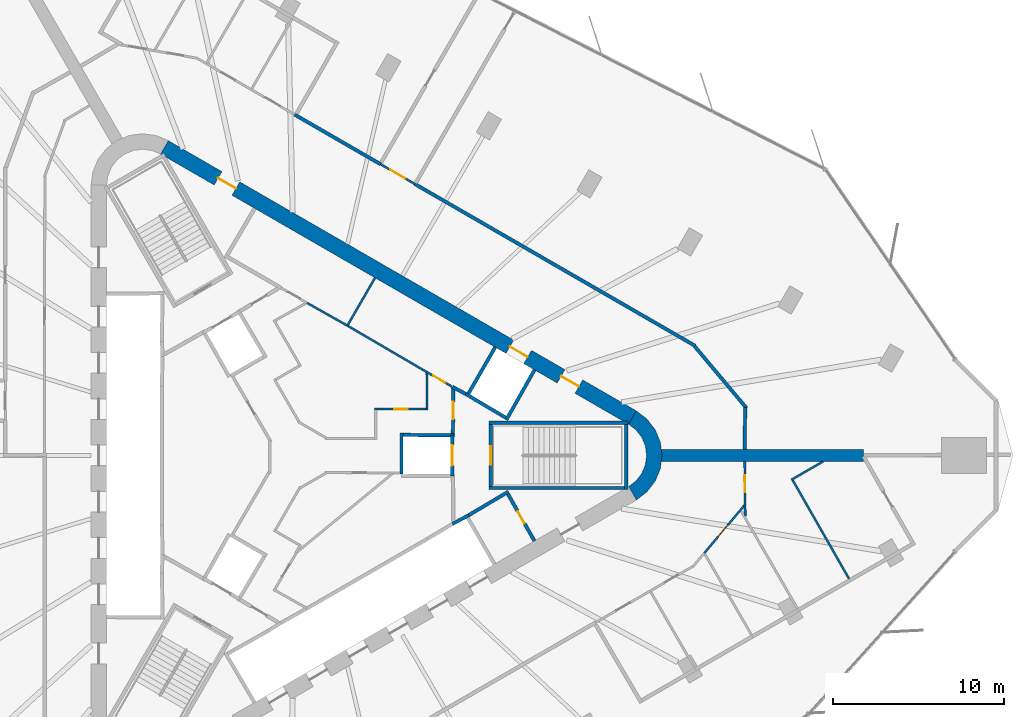
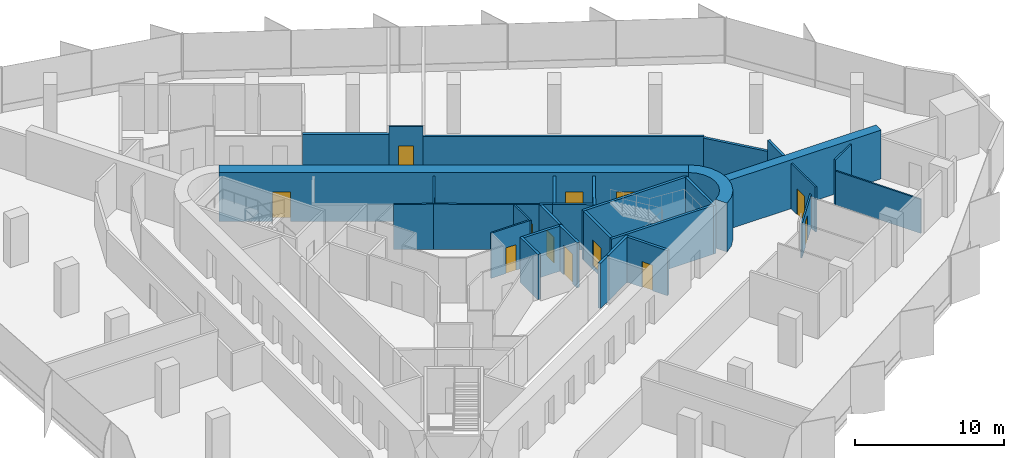
# One storey, part 11 of 14: 33 walls, 12 doors, 12 openings.
"""IFC4 building model written with IfcOpenShell, lengths in metres."""

import ifcopenshell
import ifcopenshell.guid

model = None  # the IFC model being written
_history = None  # IfcOwnerHistory: only IFC2X3 demands one
_inside = {}  # id of a spatial element -> (the spatial element, [elements in it])
_under = {}  # id of a project, library or spatial element -> (it, [spatial elements below it])
_declared = {}  # id of a project -> (the project, [libraries it declares])
_typed = {}  # id of a type object -> (the type object, [elements of that type])
_made_of = {}  # id of a material, layer set ... -> (it, [elements and type objects made of it])


def new_model(schema):
    """Start an empty IFC model of exactly this schema.

    Asked for "IFC4X3", IfcOpenShell would pick the latest addendum, in which some entities
    have other attributes; the version numbers below select the first issue.
    IFC2X3 requires an IfcOwnerHistory on every rooted entity: one is made here for all.
    """
    global model, _history
    if schema == "IFC4X3":
        model = ifcopenshell.file(schema_version=(4, 3, 0, 0))
    else:
        model = ifcopenshell.file(schema=schema)
    _inside.clear()
    _under.clear()
    _declared.clear()
    _typed.clear()
    _made_of.clear()
    _history = None
    if model.schema == "IFC2X3":
        org = make("IfcOrganization", Name="unknown")
        user = make(
            "IfcPersonAndOrganization",
            ThePerson=make("IfcPerson", FamilyName="unknown"),
            TheOrganization=org,
        )
        app = make(
            "IfcApplication",
            ApplicationDeveloper=org,
            Version="unknown",
            ApplicationFullName="unknown",
            ApplicationIdentifier="unknown",
        )
        _history = make(
            "IfcOwnerHistory",
            OwningUser=user,
            OwningApplication=app,
            ChangeAction="ADDED",
            CreationDate=0,
        )
    return model


def make(cls, **values):
    """One entity of the class cls with the attributes given. An attribute that is None is left unset."""
    return model.create_entity(
        cls, **{name: value for name, value in values.items() if value is not None}
    )


def rooted(cls, **values):
    """An entity with a GlobalId (a new one), such as an element, a storey or a relation."""
    return make(cls, GlobalId=ifcopenshell.guid.new(), OwnerHistory=_history, **values)


def si_unit(unit_type, name, prefix=None):
    """IfcSIUnit, for example si_unit("LENGTHUNIT", "METRE", prefix="MILLI")."""
    return make("IfcSIUnit", UnitType=unit_type, Prefix=prefix, Name=name)


def assignment(units):
    """IfcUnitAssignment: the units of a project."""
    return None if units is None else make("IfcUnitAssignment", Units=units)


def point(xyz):
    """IfcCartesianPoint."""
    return None if xyz is None else make("IfcCartesianPoint", Coordinates=xyz)


def direction(xyz):
    """IfcDirection."""
    return None if xyz is None else make("IfcDirection", DirectionRatios=xyz)


def frame(location, z_axis=None, x_axis=None):
    """IfcAxis2Placement3D, a coordinate frame: its origin and axes. An axis left out is left unset."""
    return make(
        "IfcAxis2Placement3D",
        Location=point(location),
        Axis=direction(z_axis),
        RefDirection=direction(x_axis),
    )


def frame_2d(location, x_axis=None):
    """IfcAxis2Placement2D, a coordinate frame in the plane: its origin and x axis."""
    return make(
        "IfcAxis2Placement2D", Location=point(location), RefDirection=direction(x_axis)
    )


def origin():
    """The frame at (0, 0, 0) with its axes left unset."""
    return frame((0.0, 0.0, 0.0))


def place(relative_to, where):
    """IfcLocalPlacement: puts the frame where relative to a parent placement (None: the world)."""
    return make(
        "IfcLocalPlacement", PlacementRelTo=relative_to, RelativePlacement=where
    )


def context(
    kind, dimensions, precision=None, world=None, true_north=None, identifier=None
):
    """IfcGeometricRepresentationContext, for example the 3D "Model" context."""
    return make(
        "IfcGeometricRepresentationContext",
        ContextIdentifier=identifier,
        ContextType=kind,
        CoordinateSpaceDimension=dimensions,
        Precision=precision,
        WorldCoordinateSystem=world,
        TrueNorth=true_north,
    )


def subcontext(parent, identifier, kind, view, scale=None):
    """IfcGeometricRepresentationSubContext, for example "Body" below "Model"."""
    return make(
        "IfcGeometricRepresentationSubContext",
        ContextIdentifier=identifier,
        ContextType=kind,
        ParentContext=parent,
        TargetScale=scale,
        TargetView=view,
    )


def project(units=None, contexts=None):
    """IfcProject with its units and contexts."""
    return rooted(
        "IfcProject",
        Name="project",
        RepresentationContexts=contexts,
        UnitsInContext=assignment(units),
    )


def spatial(cls, under=None, at=None, **own):
    """A site, building, storey or space (cls), placed at a placement, below another one or the project."""
    s = rooted(cls, ObjectPlacement=at, **own)
    if under is not None:
        _under.setdefault(under.id(), (under, []))[1].append(s)
    return s


def polyline(points):
    """IfcPolyline through the points."""
    return make("IfcPolyline", Points=[point(p) for p in points])


def profile(cls, at=None, kind="AREA", **sizes):
    """A parametric profile (cls). Its sizes go by their IFC names, for example OverallWidth=200.0."""
    return make(cls, ProfileType=kind, Position=at, **sizes)


def rectangle(**sizes):
    """IfcRectangleProfileDef."""
    return profile("IfcRectangleProfileDef", **sizes)


def outline(outer, holes=None, kind="AREA"):
    """IfcArbitraryClosedProfileDef: a profile drawn as a closed curve; with holes, ...WithVoids."""
    if holes is None:
        return make("IfcArbitraryClosedProfileDef", ProfileType=kind, OuterCurve=outer)
    return make(
        "IfcArbitraryProfileDefWithVoids",
        ProfileType=kind,
        OuterCurve=outer,
        InnerCurves=holes,
    )


def extrude(swept, where, along, depth):
    """IfcExtrudedAreaSolid: the profile swept, set in the frame where, extruded along a direction by depth."""
    return make(
        "IfcExtrudedAreaSolid",
        SweptArea=swept,
        Position=where,
        ExtrudedDirection=direction(along),
        Depth=depth,
    )


def shape(context_of_items, identifier, shape_type, items):
    """IfcShapeRepresentation: the items that make up one representation, for example the "Body"."""
    return make(
        "IfcShapeRepresentation",
        ContextOfItems=context_of_items,
        RepresentationIdentifier=identifier,
        RepresentationType=shape_type,
        Items=items,
    )


def material(Name=None, Category=None):
    """IfcMaterial."""
    return make("IfcMaterial", Name=Name, Category=Category)


def layer(
    of_material, thickness, ventilated=None, Name=None, Category=None, Priority=None
):
    """IfcMaterialLayer: one layer of a wall or slab, of a material (None: an air gap)."""
    return make(
        "IfcMaterialLayer",
        Material=of_material,
        LayerThickness=thickness,
        IsVentilated=ventilated,
        Name=Name,
        Category=Category,
        Priority=Priority,
    )


def layer_set(layers, Name=None):
    """IfcMaterialLayerSet."""
    return make("IfcMaterialLayerSet", MaterialLayers=layers, LayerSetName=Name)


def made_of(thing, what):
    """Note that an element or type object is made of a material, layer set ...; save() writes the relation."""
    if what is not None:
        _made_of.setdefault(what.id(), (what, []))[1].append(thing)
    return thing


def type_object(cls, material=None, **own):
    """A type object (cls), such as IfcWallType, which elements share."""
    return made_of(rooted(cls, **own), material)


def element(
    cls,
    number,
    at=None,
    inside=None,
    cuts=None,
    type_object=None,
    material=None,
    context=None,
    identifier="Body",
    shape_type=None,
    held_by="IfcProductDefinitionShape",
    body=None,
    shapes=None,
    **own,
):
    """One element of the class cls, such as IfcWall. Its Tag is "e" and its number.

    at: its placement. inside: the storey or other place that contains it. cuts: it is an
    opening in that element (IfcRelVoidsElement). A single representation is given by context,
    identifier, shape_type and body (its items); several are given by shapes. held_by: the class
    of the entity that holds the representations. save() writes the other relations.
    """
    e = rooted(cls, Tag="e%d" % number, ObjectPlacement=at, **own)
    if body is not None:
        shapes = [shape(context, identifier, shape_type, body)]
    if shapes is not None:
        e.Representation = make(held_by, Representations=shapes)
    if inside is not None:
        _inside.setdefault(inside.id(), (inside, []))[1].append(e)
    if cuts is not None:
        rooted(
            "IfcRelVoidsElement", RelatingBuildingElement=cuts, RelatedOpeningElement=e
        )
    if type_object is not None:
        _typed.setdefault(type_object.id(), (type_object, []))[1].append(e)
    return made_of(e, material)


def fill(opening, filler):
    """IfcRelFillsElement: the door or window that sits in an opening."""
    return rooted(
        "IfcRelFillsElement",
        RelatingOpeningElement=opening,
        RelatedBuildingElement=filler,
    )


def aggregate(whole, parts):
    """IfcRelAggregates: a whole, such as a stair, and the parts it consists of."""
    return rooted("IfcRelAggregates", RelatingObject=whole, RelatedObjects=parts)


def save(model, path):
    """Write the relations noted so far, then the file.

    IfcRelAggregates (storeys below a building ...), IfcRelContainedInSpatialStructure (elements
    in a storey), IfcRelDefinesByType, IfcRelAssociatesMaterial and IfcRelDeclares: one each for
    every whole, place, type object, material and project.
    """
    for whole, parts in _under.values():
        aggregate(whole, parts)
    for where, things in _inside.values():
        rooted(
            "IfcRelContainedInSpatialStructure",
            RelatedElements=things,
            RelatingStructure=where,
        )
    for kind, things in _typed.values():
        rooted("IfcRelDefinesByType", RelatedObjects=things, RelatingType=kind)
    for what, things in _made_of.values():
        rooted("IfcRelAssociatesMaterial", RelatedObjects=things, RelatingMaterial=what)
    for by, libraries in _declared.values():
        rooted("IfcRelDeclares", RelatingContext=by, RelatedDefinitions=libraries)
    model.write(path)


model = new_model("IFC4")

# Units and contexts
model_context = context("Model", 3, precision=1e-05, world=origin(), true_north=direction((0.0, 1.0)))
body_context = subcontext(model_context, "Body", "Model", "MODEL_VIEW")
ifc_project = project(units=[si_unit("LENGTHUNIT", "METRE"), si_unit("AREAUNIT", "SQUARE_METRE"), si_unit("VOLUMEUNIT", "CUBIC_METRE"), si_unit("PLANEANGLEUNIT", "RADIAN"), si_unit("MASSUNIT", "GRAM", prefix="KILO")], contexts=[model_context])

# Site, building, storey
site_placement = place(None, origin())
site = spatial("IfcSite", under=ifc_project, at=site_placement, CompositionType="ELEMENT")
building_placement = place(site_placement, origin())
building = spatial("IfcBuilding", under=site, at=building_placement, Name="Tanit Gate Tower", CompositionType="ELEMENT")
storey_placement = place(building_placement, frame((0.0, 0.0, 209.199951171875)))
storey = spatial("IfcBuildingStorey", under=building, at=storey_placement, Name="L46", CompositionType="ELEMENT", Elevation=209.199951171875)

# Wall
ifc_material_1 = material(Name="Concrete C50/60", Category="concrete")
ifc_layer_1 = layer(ifc_material_1, 0.699951171875)
ifc_layer_set_1 = layer_set([ifc_layer_1], Name="BUTTRESS FIN 700 C50/60")
wall_type_1 = type_object("IfcWallType", Name="BUTTRESS FIN 700 C50/60", PredefinedType="SHEAR", material=ifc_layer_set_1)
wall_1_placement = place(storey_placement, frame((21.14990234375, 0.0, 0.0), z_axis=(0.0, 0.0, 1.0), x_axis=(1.0, 0.0, 0.0)))
element("IfcWall", 1, at=wall_1_placement, inside=storey, type_object=wall_type_1, Name="BUTTRESS FIN", PredefinedType="SHEAR", context=body_context, shape_type="SweptSolid", body=[
    extrude(rectangle(XDim=11.7939453125, YDim=0.699951171875, at=frame_2d((5.89697265625, 0.0))), origin(), (0.0, 0.0, 1.0), 4.0),
])

# Wall, openings, doors
ifc_material_2 = material(Name="Concrete C50/60", Category="concrete")
ifc_layer_2 = layer(ifc_material_2, 0.89990234375)
ifc_layer_set_2 = layer_set([ifc_layer_2], Name="CORE WALL 900 C50/60")
wall_type_2 = type_object("IfcWallType", Name="CORE WALL 900 C50/60", PredefinedType="SHEAR", material=ifc_layer_set_2)
wall_2_placement = place(storey_placement, frame((19.47509765625, 2.20849609375, 0.0), z_axis=(0.0, 0.0, 1.0), x_axis=(-0.866028369851, 0.499994862586, 0.0)))
wall_2 = element("IfcWall", 2, at=wall_2_placement, inside=storey, type_object=wall_type_2, Name="CORE WALL", PredefinedType="SHEAR", context=body_context, shape_type="SweptSolid", body=[
    extrude(rectangle(XDim=31.523193359375, YDim=0.89990234375, at=frame_2d((15.76171875, 0.0))), origin(), (0.0, 0.0, 1.0), 4.0),
])
opening_1_placement = place(wall_2_placement, frame((7.0615234375, 0.0, 0.0)))
opening_1 = element("IfcOpeningElement", 3, at=opening_1_placement, cuts=wall_2, Name="Opening LDML8-S12", PredefinedType="OPENING", context=body_context, shape_type="SweptSolid", body=[
    extrude(rectangle(XDim=1.199951171875, YDim=2.39990234375, at=frame_2d((0.60009765625, 1.199951171875))), frame((0.0, 0.4599609375, 0.0), z_axis=(0.0, -1.0, 0.0), x_axis=(1.0, 0.0, 0.0)), (0.0, 0.0, 1.0), 0.919921875),
])
opening_2_placement = place(wall_2_placement, frame((3.611572265625, 0.0, 0.0)))
opening_2 = element("IfcOpeningElement", 4, at=opening_2_placement, cuts=wall_2, Name="Opening F12-S12-FL1", PredefinedType="OPENING", context=body_context, shape_type="SweptSolid", body=[
    extrude(rectangle(XDim=1.199951171875, YDim=2.39990234375, at=frame_2d((0.60009765625, 1.199951171875))), frame((0.0, 0.4599609375, 0.0), z_axis=(0.0, -1.0, 0.0), x_axis=(1.0, 0.0, 0.0)), (0.0, 0.0, 1.0), 0.919921875),
])
opening_3_placement = place(wall_2_placement, frame((26.711669921875, 0.0, 0.0)))
opening_3 = element("IfcOpeningElement", 5, at=opening_3_placement, cuts=wall_2, Name="Opening F12-S12-S2", PredefinedType="OPENING", context=body_context, shape_type="SweptSolid", body=[
    extrude(rectangle(XDim=1.199951171875, YDim=2.39990234375, at=frame_2d((0.60009765625, 1.199951171875))), frame((0.0, 0.4599609375, 0.0), z_axis=(0.0, -1.0, 0.0), x_axis=(1.0, 0.0, 0.0)), (0.0, 0.0, 1.0), 0.919921875),
])
ifc_material_3 = material(Name="Fire-rated steel door leaf", Category="steel")
door_type_1 = type_object("IfcDoorType", Name="INT-DOOR-FIRE-LOBBY-1200", OperationType="NOTDEFINED", PredefinedType="USERDEFINED", material=ifc_material_3)
door_1_placement = place(opening_2_placement, origin())
door_1 = element("IfcDoor", 6, at=door_1_placement, inside=storey, type_object=door_type_1, Name="Door F12-S12-FL1", ObjectType="FIRE DOOR", OperationType="SINGLE_SWING_LEFT", OverallHeight=2.39990234375, OverallWidth=1.199951171875, PredefinedType="USERDEFINED", context=body_context, shape_type="SweptSolid", body=[
    extrude(rectangle(XDim=1.199951171875, YDim=2.39990234375, at=frame_2d((0.60009765625, 1.199951171875))), frame((0.0, 0.02490234375, 0.0), z_axis=(0.0, -1.0, 0.0), x_axis=(1.0, 0.0, 0.0)), (0.0, 0.0, 1.0), 0.050048828125),
])
fill(opening_2, door_1)
door_2_placement = place(opening_3_placement, origin())
door_2 = element("IfcDoor", 7, at=door_2_placement, inside=storey, type_object=door_type_1, Name="Door F12-S12-S2", ObjectType="FIRE DOOR", OperationType="SINGLE_SWING_RIGHT", OverallHeight=2.39990234375, OverallWidth=1.199951171875, PredefinedType="USERDEFINED", context=body_context, shape_type="SweptSolid", body=[
    extrude(rectangle(XDim=1.199951171875, YDim=2.39990234375, at=frame_2d((0.60009765625, 1.199951171875))), frame((0.0, 0.02490234375, 0.0), z_axis=(0.0, -1.0, 0.0), x_axis=(1.0, 0.0, 0.0)), (0.0, 0.0, 1.0), 0.050048828125),
])
fill(opening_3, door_2)
ifc_material_4 = material(Name="Stainless steel sliding door leaf", Category="steel")
door_type_2 = type_object("IfcDoorType", Name="INT-DOOR-LANDING-1200", OperationType="NOTDEFINED", PredefinedType="USERDEFINED", material=ifc_material_4)
door_3_placement = place(opening_1_placement, origin())
door_3 = element("IfcDoor", 8, at=door_3_placement, inside=storey, type_object=door_type_2, Name="Door LDML8-S12", ObjectType="LANDING DOOR", OperationType="SLIDING_TO_LEFT", OverallHeight=2.39990234375, OverallWidth=1.199951171875, PredefinedType="USERDEFINED", context=body_context, shape_type="SweptSolid", body=[
    extrude(rectangle(XDim=1.199951171875, YDim=2.39990234375, at=frame_2d((0.60009765625, 1.199951171875))), frame((0.0, 0.02490234375, 0.0), z_axis=(0.0, -1.0, 0.0), x_axis=(1.0, 0.0, 0.0)), (0.0, 0.0, 1.0), 0.050048828125),
])
fill(opening_1, door_3)

# Walls
wall_3_placement = place(storey_placement, origin())
element("IfcWall", 9, at=wall_3_placement, inside=storey, type_object=wall_type_2, Name="CORE WALL CORNER", PredefinedType="SHEAR", context=body_context, shape_type="SweptSolid", body=[
    extrude(outline(polyline([(19.699951171875, -2.59814453125), (20.3212890625, -2.121337890625), (20.798095703125, -1.5), (21.097900390625, -0.776611328125), (21.199951171875, 0.0), (21.097900390625, 0.776611328125), (20.798095703125, 1.5), (20.3212890625, 2.121337890625), (19.699951171875, 2.59814453125), (19.25, 1.818603515625), (19.684814453125, 1.48486328125), (20.018798828125, 1.050048828125), (20.228515625, 0.54345703125), (20.300048828125, 0.0), (20.228515625, -0.54345703125), (20.018798828125, -1.050048828125), (19.684814453125, -1.48486328125), (19.25, -1.818603515625), (19.699951171875, -2.59814453125)])), origin(), (0.0, 0.0, 1.0), 4.0),
])
ifc_material_5 = material(Name="Fire-rated gypsum board partition")
ifc_layer_3 = layer(ifc_material_5, 0.199951171875)
ifc_layer_set_3 = layer_set([ifc_layer_3], Name="INT-WALL-COMPARTMENT")
wall_type_3 = type_object("IfcWallType", Name="INT-WALL-COMPARTMENT", PredefinedType="PARTITIONING", material=ifc_layer_set_3)
wall_4_placement = place(storey_placement, frame((8.97412109375, 3.998779296875, 0.0), z_axis=(0.0, 0.0, 1.0), x_axis=(0.880917147855, -0.473270513147, 0.0)))
element("IfcWall", 10, at=wall_4_placement, inside=storey, type_object=wall_type_3, Name="Wall Compartment W050", PredefinedType="PARTITIONING", context=body_context, shape_type="SweptSolid", body=[
    extrude(rectangle(XDim=0.8779296875, YDim=0.199951171875, at=frame_2d((0.43896484375, 0.0))), origin(), (0.0, 0.0, 1.0), 3.699951171875),
])
wall_5_placement = place(storey_placement, frame((12.244873046875, -2.10888671875, 0.0), z_axis=(0.0, 0.0, 1.0), x_axis=(-0.860414880418, -0.509594185166, 0.0)))
element("IfcWall", 11, at=wall_5_placement, inside=storey, type_object=wall_type_3, Name="Wall Compartment W057", PredefinedType="PARTITIONING", context=body_context, shape_type="SweptSolid", body=[
    extrude(rectangle(XDim=2.7001953125, YDim=0.199951171875, at=frame_2d((1.35009765625, 0.0))), origin(), (0.0, 0.0, 1.0), 3.699951171875),
])

# Wall, opening, door
wall_6_placement = place(storey_placement, frame((13.758056640625, -4.989501953125, 0.0), z_axis=(0.0, 0.0, 1.0), x_axis=(-0.491993409184, 0.87059892334, 0.0)))
wall_6 = element("IfcWall", 12, at=wall_6_placement, inside=storey, type_object=wall_type_3, Name="Wall Compartment W058", PredefinedType="PARTITIONING", context=body_context, shape_type="SweptSolid", body=[
    extrude(rectangle(XDim=3.150146484375, YDim=0.199951171875, at=frame_2d((1.5751953125, 0.0))), origin(), (0.0, 0.0, 1.0), 3.699951171875),
])
opening_4_placement = place(wall_6_placement, frame((1.175048828125, 0.0, 0.0)))
opening_4 = element("IfcOpeningElement", 13, at=opening_4_placement, cuts=wall_6, Name="Opening R08-S12-16", PredefinedType="OPENING", context=body_context, shape_type="SweptSolid", body=[
    extrude(rectangle(XDim=0.800048828125, YDim=2.10009765625, at=frame_2d((0.39990234375, 1.050048828125))), frame((0.0, 0.10986328125, 0.0), z_axis=(0.0, -1.0, 0.0), x_axis=(1.0, 0.0, 0.0)), (0.0, 0.0, 1.0), 0.219970703125),
])
ifc_material_6 = material(Name="Timber door leaf", Category="wood")
door_type_3 = type_object("IfcDoorType", Name="INT-DOOR-RISER-800", OperationType="NOTDEFINED", PredefinedType="USERDEFINED", material=ifc_material_6)
door_4_placement = place(opening_4_placement, origin())
door_4 = element("IfcDoor", 14, at=door_4_placement, inside=storey, type_object=door_type_3, Name="Door R08-S12-16", ObjectType="FIRE DOOR", OperationType="SINGLE_SWING_RIGHT", OverallHeight=2.10009765625, OverallWidth=0.800048828125, PredefinedType="USERDEFINED", context=body_context, shape_type="SweptSolid", body=[
    extrude(rectangle(XDim=0.800048828125, YDim=2.10009765625, at=frame_2d((0.39990234375, 1.050048828125))), frame((0.0, 0.02490234375, 0.0), z_axis=(0.0, -1.0, 0.0), x_axis=(1.0, 0.0, 0.0)), (0.0, 0.0, 1.0), 0.050048828125),
])
fill(opening_4, door_4)

wall_7_placement = place(storey_placement, frame((9.0009765625, 1.27001953125, 0.0), z_axis=(0.0, 0.0, 1.0), x_axis=(0.010723968736, 0.999942496594, 0.0)))
wall_7 = element("IfcWall", 15, at=wall_7_placement, inside=storey, type_object=wall_type_3, Name="Wall Compartment W060", PredefinedType="PARTITIONING", context=body_context, shape_type="SweptSolid", body=[
    extrude(rectangle(XDim=2.709228515625, YDim=0.199951171875, at=frame_2d((1.3544921875, 0.0))), origin(), (0.0, 0.0, 1.0), 3.699951171875),
])
opening_5_placement = place(wall_7_placement, frame((0.848388671875, 0.0, 0.0)))
opening_5 = element("IfcOpeningElement", 16, at=opening_5_placement, cuts=wall_7, Name="Opening F10-S12-02", PredefinedType="OPENING", context=body_context, shape_type="SweptSolid", body=[
    extrude(rectangle(XDim=1.0, YDim=2.10009765625, at=frame_2d((0.5, 1.050048828125))), frame((0.0, 0.10986328125, 0.0), z_axis=(0.0, -1.0, 0.0), x_axis=(1.0, 0.0, 0.0)), (0.0, 0.0, 1.0), 0.219970703125),
])
ifc_material_7 = material(Name="Fire-rated steel door leaf", Category="steel")
door_type_4 = type_object("IfcDoorType", Name="INT-DOOR-FIRE-1000", OperationType="NOTDEFINED", PredefinedType="USERDEFINED", material=ifc_material_7)
door_5_placement = place(opening_5_placement, origin())
door_5 = element("IfcDoor", 17, at=door_5_placement, inside=storey, type_object=door_type_4, Name="Door F10-S12-02", ObjectType="FIRE DOOR", OperationType="SINGLE_SWING_LEFT", OverallHeight=2.10009765625, OverallWidth=1.0, PredefinedType="USERDEFINED", context=body_context, shape_type="SweptSolid", body=[
    extrude(rectangle(XDim=1.0, YDim=2.10009765625, at=frame_2d((0.5, 1.050048828125))), frame((0.0, 0.02490234375, 0.0), z_axis=(0.0, -1.0, 0.0), x_axis=(1.0, 0.0, 0.0)), (0.0, 0.0, 1.0), 0.050048828125),
])
fill(opening_5, door_5)

# Walls
wall_8_placement = place(storey_placement, frame((23.118896484375, 6.397705078125, 0.0), z_axis=(0.0, 0.0, 1.0), x_axis=(-0.866027034507, 0.499997175495, 0.0)))
element("IfcWall", 18, at=wall_8_placement, inside=storey, type_object=wall_type_3, Name="Wall Compartment W099", PredefinedType="PARTITIONING", context=body_context, shape_type="SweptSolid", body=[
    extrude(rectangle(XDim=18.87255859375, YDim=0.199951171875, at=frame_2d((9.436279296875, 0.0))), origin(), (0.0, 0.0, 1.0), 2.880126953125),
])
wall_9_placement = place(storey_placement, frame((4.78271484375, 16.984130859375, 0.0), z_axis=(0.0, 0.0, 1.0), x_axis=(-0.866032949645, 0.499986929959, 0.0)))
element("IfcWall", 19, at=wall_9_placement, inside=storey, type_object=wall_type_3, Name="Wall Compartment W103", PredefinedType="PARTITIONING", context=body_context, shape_type="SweptSolid", body=[
    extrude(rectangle(XDim=5.780029296875, YDim=0.199951171875, at=frame_2d((2.89013671875, 0.0))), origin(), (0.0, 0.0, 1.0), 3.070068359375),
])
wall_10_placement = place(storey_placement, frame((26.12109375, 2.766357421875, 0.0), z_axis=(0.0, 0.0, 1.0), x_axis=(-0.642778291452, 0.766052261949, 0.0)))
element("IfcWall", 20, at=wall_10_placement, inside=storey, type_object=wall_type_3, Name="Wall Compartment W100", PredefinedType="PARTITIONING", context=body_context, shape_type="SweptSolid", body=[
    extrude(rectangle(XDim=4.70556640625, YDim=0.199951171875, at=frame_2d((2.352783203125, 0.0))), origin(), (0.0, 0.0, 1.0), 2.780029296875),
])
wall_11_placement = place(storey_placement, frame((26.019775390625, 0.35009765625, 0.0), z_axis=(0.0, 0.0, 1.0), x_axis=(0.010532007244, 0.999944536874, 0.0)))
element("IfcWall", 21, at=wall_11_placement, inside=storey, type_object=wall_type_3, Name="Wall Compartment W101", PredefinedType="PARTITIONING", context=body_context, shape_type="SweptSolid", body=[
    extrude(rectangle(XDim=2.457275390625, YDim=0.199951171875, at=frame_2d((1.228515625, 0.0))), origin(), (0.0, 0.0, 1.0), 3.699951171875),
])
ifc_material_8 = material(Name="Gypsum board partition")
ifc_layer_4 = layer(ifc_material_8, 0.1201171875)
ifc_layer_set_4 = layer_set([ifc_layer_4], Name="INT-WALL-PARTITION")
wall_type_4 = type_object("IfcWallType", Name="INT-WALL-PARTITION", PredefinedType="PARTITIONING", material=ifc_layer_set_4)
wall_12_placement = place(storey_placement, frame((4.456787109375, 10.359375, 0.0), z_axis=(0.0, 0.0, 1.0), x_axis=(-0.500017246033, -0.866015446554, 0.0)))
element("IfcWall", 22, at=wall_12_placement, inside=storey, type_object=wall_type_4, Name="Wall Partition W049", PredefinedType="PARTITIONING", context=body_context, shape_type="SweptSolid", body=[
    extrude(rectangle(XDim=3.25, YDim=0.1201171875, at=frame_2d((1.625, 0.0))), origin(), (0.0, 0.0, 1.0), 3.699951171875),
])
wall_13_placement = place(storey_placement, frame((7.456787109375, 4.875244140625, 0.0), z_axis=(0.0, 0.0, 1.0), x_axis=(-0.863262357411, 0.504755487615, 0.0)))
element("IfcWall", 23, at=wall_13_placement, inside=storey, type_object=wall_type_4, Name="Wall Partition W051", PredefinedType="PARTITIONING", context=body_context, shape_type="SweptSolid", body=[
    extrude(rectangle(XDim=5.370361328125, YDim=0.1201171875, at=frame_2d((2.68505859375, 0.0))), origin(), (0.0, 0.0, 1.0), 3.699951171875),
])

# Wall, opening, door
wall_14_placement = place(storey_placement, frame((7.45654296875, 4.874755859375, 0.0), z_axis=(0.0, 0.0, 1.0), x_axis=(0.866027945518, -0.499995597562, 0.0)))
wall_14 = element("IfcWall", 24, at=wall_14_placement, inside=storey, type_object=wall_type_4, Name="Wall Partition W052", PredefinedType="PARTITIONING", context=body_context, shape_type="SweptSolid", body=[
    extrude(rectangle(XDim=1.7021484375, YDim=0.1201171875, at=frame_2d((0.85107421875, 0.0))), origin(), (0.0, 0.0, 1.0), 3.699951171875),
])
opening_6_placement = place(wall_14_placement, frame((0.461181640625, 0.0, 0.0)))
opening_6 = element("IfcOpeningElement", 25, at=opening_6_placement, cuts=wall_14, Name="Opening R08-S12-14", PredefinedType="OPENING", context=body_context, shape_type="SweptSolid", body=[
    extrude(rectangle(XDim=0.800048828125, YDim=2.10009765625, at=frame_2d((0.39990234375, 1.050048828125))), frame((0.0, 0.070068359375, 0.0), z_axis=(0.0, -1.0, 0.0), x_axis=(1.0, 0.0, 0.0)), (0.0, 0.0, 1.0), 0.14013671875),
])
door_6_placement = place(opening_6_placement, origin())
door_6 = element("IfcDoor", 26, at=door_6_placement, inside=storey, type_object=door_type_3, Name="Door R08-S12-14", ObjectType="FIRE DOOR", OperationType="SINGLE_SWING_LEFT", OverallHeight=2.10009765625, OverallWidth=0.800048828125, PredefinedType="USERDEFINED", context=body_context, shape_type="SweptSolid", body=[
    extrude(rectangle(XDim=0.800048828125, YDim=2.10009765625, at=frame_2d((0.39990234375, 1.050048828125))), frame((0.0, 0.02490234375, 0.0), z_axis=(0.0, -1.0, 0.0), x_axis=(1.0, 0.0, 0.0)), (0.0, 0.0, 1.0), 0.050048828125),
])
fill(opening_6, door_6)

# Walls
wall_15_placement = place(storey_placement, frame((2.82080078125, 7.5859375, 0.0), z_axis=(0.0, 0.0, 1.0), x_axis=(-0.871426548871, 0.490526013503, 0.0)))
element("IfcWall", 27, at=wall_15_placement, inside=storey, type_object=wall_type_4, Name="Wall Partition W055", PredefinedType="PARTITIONING", context=body_context, shape_type="SweptSolid", body=[
    extrude(rectangle(XDim=2.670166015625, YDim=0.1201171875, at=frame_2d((1.3349609375, 0.0))), origin(), (0.0, 0.0, 1.0), 3.699951171875),
])
wall_16_placement = place(storey_placement, frame((7.500732421875, 2.639892578125, 0.0), z_axis=(0.0, 0.0, 1.0), x_axis=(-0.01178388431, 0.999930567625, 0.0)))
element("IfcWall", 28, at=wall_16_placement, inside=storey, type_object=wall_type_4, Name="Wall Partition W077", PredefinedType="PARTITIONING", context=body_context, shape_type="SweptSolid", body=[
    extrude(rectangle(XDim=2.15478515625, YDim=0.1201171875, at=frame_2d((1.077392578125, 0.0))), origin(), (0.0, 0.0, 1.0), 3.699951171875),
])

# Wall, opening, door
wall_17_placement = place(storey_placement, frame((4.43994140625, 2.699951171875, 0.0), z_axis=(0.0, 0.0, 1.0), x_axis=(1.0, 0.0, 0.0)))
wall_17 = element("IfcWall", 29, at=wall_17_placement, inside=storey, type_object=wall_type_4, Name="Wall Partition W078", PredefinedType="PARTITIONING", context=body_context, shape_type="SweptSolid", body=[
    extrude(rectangle(XDim=3.0, YDim=0.1201171875, at=frame_2d((1.5, 0.0))), origin(), (0.0, 0.0, 1.0), 3.699951171875),
])
opening_7_placement = place(wall_17_placement, frame((1.1298828125, 0.0, 0.0)))
opening_7 = element("IfcOpeningElement", 30, at=opening_7_placement, cuts=wall_17, Name="Opening R08-S12-13", PredefinedType="OPENING", context=body_context, shape_type="SweptSolid", body=[
    extrude(rectangle(XDim=0.800048828125, YDim=2.10009765625, at=frame_2d((0.39990234375, 1.050048828125))), frame((0.0, 0.070068359375, 0.0), z_axis=(0.0, -1.0, 0.0), x_axis=(1.0, 0.0, 0.0)), (0.0, 0.0, 1.0), 0.14013671875),
])
door_7_placement = place(opening_7_placement, origin())
door_7 = element("IfcDoor", 31, at=door_7_placement, inside=storey, type_object=door_type_3, Name="Door R08-S12-13", ObjectType="FIRE DOOR", OperationType="SINGLE_SWING_LEFT", OverallHeight=2.10009765625, OverallWidth=0.800048828125, PredefinedType="USERDEFINED", context=body_context, shape_type="SweptSolid", body=[
    extrude(rectangle(XDim=0.800048828125, YDim=2.10009765625, at=frame_2d((0.39990234375, 1.050048828125))), frame((0.0, 0.02490234375, 0.0), z_axis=(0.0, -1.0, 0.0), x_axis=(1.0, 0.0, 0.0)), (0.0, 0.0, 1.0), 0.050048828125),
])
fill(opening_7, door_7)

wall_18_placement = place(storey_placement, frame((4.78271484375, 16.984130859375, 0.0), z_axis=(0.0, 0.0, 1.0), x_axis=(0.866007057882, -0.500031774688, 0.0)))
wall_18 = element("IfcWall", 32, at=wall_18_placement, inside=storey, type_object=wall_type_4, Name="Wall Partition W098", PredefinedType="PARTITIONING", context=body_context, shape_type="SweptSolid", body=[
    extrude(rectangle(XDim=2.300048828125, YDim=0.1201171875, at=frame_2d((1.14990234375, 0.0))), origin(), (0.0, 0.0, 1.0), 3.699951171875),
])
opening_8_placement = place(wall_18_placement, frame((0.64990234375, 0.0, 0.0)))
opening_8 = element("IfcOpeningElement", 33, at=opening_8_placement, cuts=wall_18, Name="Opening D10-S12-19", PredefinedType="OPENING", context=body_context, shape_type="SweptSolid", body=[
    extrude(rectangle(XDim=1.0, YDim=2.10009765625, at=frame_2d((0.5, 1.050048828125))), frame((0.0, 0.070068359375, 0.0), z_axis=(0.0, -1.0, 0.0), x_axis=(1.0, 0.0, 0.0)), (0.0, 0.0, 1.0), 0.14013671875),
])
ifc_material_9 = material(Name="Timber door leaf", Category="wood")
door_type_5 = type_object("IfcDoorType", Name="INT-DOOR-SINGLE-1000", OperationType="NOTDEFINED", PredefinedType="NOTDEFINED", material=ifc_material_9)
door_8_placement = place(opening_8_placement, origin())
door_8 = element("IfcDoor", 34, at=door_8_placement, inside=storey, type_object=door_type_5, Name="Door D10-S12-19", OperationType="SINGLE_SWING_LEFT", OverallHeight=2.10009765625, OverallWidth=1.0, PredefinedType="NOTDEFINED", context=body_context, shape_type="SweptSolid", body=[
    extrude(rectangle(XDim=1.0, YDim=2.10009765625, at=frame_2d((0.5, 1.050048828125))), frame((0.0, 0.02490234375, 0.0), z_axis=(0.0, -1.0, 0.0), x_axis=(1.0, 0.0, 0.0)), (0.0, 0.0, 1.0), 0.050048828125),
])
fill(opening_8, door_8)

wall_19_placement = place(storey_placement, frame((23.66845703125, -5.689453125, 0.0), z_axis=(0.0, 0.0, 1.0), x_axis=(0.642770978045, 0.766058398416, 0.0)))
wall_19 = element("IfcWall", 35, at=wall_19_placement, inside=storey, type_object=wall_type_4, Name="Wall Partition W117", PredefinedType="PARTITIONING", context=body_context, shape_type="SweptSolid", body=[
    extrude(rectangle(XDim=3.69921875, YDim=0.1201171875, at=frame_2d((1.849609375, 0.0))), origin(), (0.0, 0.0, 1.0), 2.780029296875),
])
opening_9_placement = place(wall_19_placement, frame((1.219970703125, 0.0, 0.0)))
opening_9 = element("IfcOpeningElement", 36, at=opening_9_placement, cuts=wall_19, Name="Opening D09-S12-27", PredefinedType="OPENING", context=body_context, shape_type="SweptSolid", body=[
    extrude(rectangle(XDim=0.89990234375, YDim=2.10009765625, at=frame_2d((0.449951171875, 1.050048828125))), frame((0.0, 0.070068359375, 0.0), z_axis=(0.0, -1.0, 0.0), x_axis=(1.0, 0.0, 0.0)), (0.0, 0.0, 1.0), 0.14013671875),
])
ifc_material_10 = material(Name="Timber door leaf", Category="wood")
door_type_6 = type_object("IfcDoorType", Name="INT-DOOR-SINGLE-900", OperationType="NOTDEFINED", PredefinedType="NOTDEFINED", material=ifc_material_10)
door_9_placement = place(opening_9_placement, origin())
door_9 = element("IfcDoor", 37, at=door_9_placement, inside=storey, type_object=door_type_6, Name="Door D09-S12-27", OperationType="SINGLE_SWING_LEFT", OverallHeight=2.10009765625, OverallWidth=0.89990234375, PredefinedType="NOTDEFINED", context=body_context, shape_type="SweptSolid", body=[
    extrude(rectangle(XDim=0.89990234375, YDim=2.10009765625, at=frame_2d((0.449951171875, 1.050048828125))), frame((0.0, 0.02490234375, 0.0), z_axis=(0.0, -1.0, 0.0), x_axis=(1.0, 0.0, 0.0)), (0.0, 0.0, 1.0), 0.050048828125),
])
fill(opening_9, door_9)

wall_20_placement = place(storey_placement, frame((26.053466796875, -3.53955078125, 0.0), z_axis=(0.0, 0.0, 1.0), x_axis=(-0.010562790974, 0.999944212167, 0.0)))
wall_20 = element("IfcWall", 38, at=wall_20_placement, inside=storey, type_object=wall_type_4, Name="Wall Partition W118", PredefinedType="PARTITIONING", context=body_context, shape_type="SweptSolid", body=[
    extrude(rectangle(XDim=3.189697265625, YDim=0.1201171875, at=frame_2d((1.5947265625, 0.0))), origin(), (0.0, 0.0, 1.0), 3.699951171875),
])
opening_10_placement = place(wall_20_placement, frame((1.38671875, 0.0, 0.0)))
opening_10 = element("IfcOpeningElement", 39, at=opening_10_placement, cuts=wall_20, Name="Opening D10-S12-28", PredefinedType="OPENING", context=body_context, shape_type="SweptSolid", body=[
    extrude(rectangle(XDim=1.0, YDim=2.10009765625, at=frame_2d((0.5, 1.050048828125))), frame((0.0, 0.070068359375, 0.0), z_axis=(0.0, -1.0, 0.0), x_axis=(1.0, 0.0, 0.0)), (0.0, 0.0, 1.0), 0.14013671875),
])
door_10_placement = place(opening_10_placement, origin())
door_10 = element("IfcDoor", 40, at=door_10_placement, inside=storey, type_object=door_type_5, Name="Door D10-S12-28", OperationType="SINGLE_SWING_LEFT", OverallHeight=2.10009765625, OverallWidth=1.0, PredefinedType="NOTDEFINED", context=body_context, shape_type="SweptSolid", body=[
    extrude(rectangle(XDim=1.0, YDim=2.10009765625, at=frame_2d((0.5, 1.050048828125))), frame((0.0, 0.02490234375, 0.0), z_axis=(0.0, -1.0, 0.0), x_axis=(1.0, 0.0, 0.0)), (0.0, 0.0, 1.0), 0.050048828125),
])
fill(opening_10, door_10)

# Walls
wall_21_placement = place(storey_placement, frame((30.59375, -0.35009765625, 0.0), z_axis=(0.0, 0.0, 1.0), x_axis=(-0.86604708139, -0.499962451406, 0.0)))
element("IfcWall", 41, at=wall_21_placement, inside=storey, type_object=wall_type_4, Name="Wall Partition W151", PredefinedType="PARTITIONING", context=body_context, shape_type="SweptSolid", body=[
    extrude(rectangle(XDim=2.142822265625, YDim=0.1201171875, at=frame_2d((1.0712890625, 0.0))), origin(), (0.0, 0.0, 1.0), 3.699951171875),
])
wall_22_placement = place(storey_placement, frame((32.1044921875, -7.191162109375, 0.0), z_axis=(0.0, 0.0, 1.0), x_axis=(-0.496162767327, 0.868229525136, 0.0)))
element("IfcWall", 42, at=wall_22_placement, inside=storey, type_object=wall_type_4, Name="Wall Partition W152", PredefinedType="PARTITIONING", context=body_context, shape_type="SweptSolid", body=[
    extrude(rectangle(XDim=6.6201171875, YDim=0.1201171875, at=frame_2d((3.31005859375, 0.0))), origin(), (0.0, 0.0, 1.0), 2.780029296875),
])
ifc_material_11 = material(Name="Gypsum shaft wall system")
ifc_layer_5 = layer(ifc_material_11, 0.199951171875)
ifc_layer_set_5 = layer_set([ifc_layer_5], Name="INT-WALL-SHAFT")
wall_type_5 = type_object("IfcWallType", Name="INT-WALL-SHAFT", PredefinedType="PLUMBINGWALL", material=ifc_layer_set_5)
wall_23_placement = place(storey_placement, frame((9.8466796875, 3.494873046875, 0.0), z_axis=(0.0, 0.0, 1.0), x_axis=(0.499984717929, 0.866034226713, 0.0)))
element("IfcWall", 43, at=wall_23_placement, inside=storey, type_object=wall_type_5, Name="Wall Shaft W012", PredefinedType="PLUMBINGWALL", context=body_context, shape_type="SweptSolid", body=[
    extrude(rectangle(XDim=3.25, YDim=0.199951171875, at=frame_2d((1.625, 0.0))), origin(), (0.0, 0.0, 1.0), 3.699951171875),
])
wall_24_placement = place(storey_placement, frame((12.10986328125, 2.07275390625, 0.0), z_axis=(0.0, 0.0, 1.0), x_axis=(0.49196600604, 0.870614408852, 0.0)))
element("IfcWall", 44, at=wall_24_placement, inside=storey, type_object=wall_type_5, Name="Wall Shaft W013", PredefinedType="PLUMBINGWALL", context=body_context, shape_type="SweptSolid", body=[
    extrude(rectangle(XDim=3.35009765625, YDim=0.199951171875, at=frame_2d((1.675048828125, 0.0))), origin(), (0.0, 0.0, 1.0), 3.699951171875),
])
wall_25_placement = place(storey_placement, frame((12.072998046875, 2.2109375, 0.0), z_axis=(0.0, 0.0, 1.0), x_axis=(-0.860414880418, 0.509594185166, 0.0)))
element("IfcWall", 45, at=wall_25_placement, inside=storey, type_object=wall_type_5, Name="Wall Shaft W014", PredefinedType="PLUMBINGWALL", context=body_context, shape_type="SweptSolid", body=[
    extrude(rectangle(XDim=2.7001953125, YDim=0.199951171875, at=frame_2d((1.35009765625, 0.0))), origin(), (0.0, 0.0, 1.0), 3.699951171875),
])
wall_26_placement = place(storey_placement, frame((8.97412109375, -3.998779296875, 0.0), z_axis=(0.0, 0.0, 1.0), x_axis=(0.880907015104, 0.473289373154, 0.0)))
element("IfcWall", 46, at=wall_26_placement, inside=storey, type_object=wall_type_5, Name="Wall Shaft W017", PredefinedType="PLUMBINGWALL", context=body_context, shape_type="SweptSolid", body=[
    extrude(rectangle(XDim=1.078125, YDim=0.199951171875, at=frame_2d((0.5390625, 0.0))), origin(), (0.0, 0.0, 1.0), 3.699951171875),
])

# Wall, opening, door
wall_27_placement = place(storey_placement, frame((8.969970703125, 1.199951171875, 0.0), z_axis=(0.0, 0.0, 1.0), x_axis=(0.0, -1.0, 0.0)))
wall_27 = element("IfcWall", 47, at=wall_27_placement, inside=storey, type_object=wall_type_5, Name="Wall Shaft W029", PredefinedType="PLUMBINGWALL", context=body_context, shape_type="SweptSolid", body=[
    extrude(rectangle(XDim=2.39990234375, YDim=0.199951171875, at=frame_2d((1.199951171875, 0.0))), origin(), (0.0, 0.0, 1.0), 3.699951171875),
])
opening_11_placement = place(wall_27_placement, frame((0.60009765625, 0.0, 0.0)))
opening_11 = element("IfcOpeningElement", 48, at=opening_11_placement, cuts=wall_27, Name="Opening LDFL1-L46", PredefinedType="OPENING", context=body_context, shape_type="SweptSolid", body=[
    extrude(rectangle(XDim=1.199951171875, YDim=2.39990234375, at=frame_2d((0.60009765625, 1.199951171875))), frame((0.0, 0.10986328125, 0.0), z_axis=(0.0, -1.0, 0.0), x_axis=(1.0, 0.0, 0.0)), (0.0, 0.0, 1.0), 0.219970703125),
])
door_11_placement = place(opening_11_placement, origin())
door_11 = element("IfcDoor", 49, at=door_11_placement, inside=storey, type_object=door_type_2, Name="Door LDFL1-L46", ObjectType="LANDING DOOR", OperationType="SLIDING_TO_LEFT", OverallHeight=2.39990234375, OverallWidth=1.199951171875, PredefinedType="USERDEFINED", context=body_context, shape_type="SweptSolid", body=[
    extrude(rectangle(XDim=1.199951171875, YDim=2.39990234375, at=frame_2d((0.60009765625, 1.199951171875))), frame((0.0, 0.02490234375, 0.0), z_axis=(0.0, -1.0, 0.0), x_axis=(1.0, 0.0, 0.0)), (0.0, 0.0, 1.0), 0.050048828125),
])
fill(opening_11, door_11)

# Walls
wall_28_placement = place(storey_placement, frame((6.0, -1.089599609375, 0.0), z_axis=(0.0, 0.0, 1.0), x_axis=(0.0, 1.0, 0.0)))
element("IfcWall", 50, at=wall_28_placement, inside=storey, type_object=wall_type_5, Name="Wall Shaft W031", PredefinedType="PLUMBINGWALL", context=body_context, shape_type="SweptSolid", body=[
    extrude(rectangle(XDim=2.3896484375, YDim=0.199951171875, at=frame_2d((1.19482421875, 0.0))), origin(), (0.0, 0.0, 1.0), 3.699951171875),
])
wall_29_placement = place(storey_placement, frame((9.10009765625, 1.1689453125, 0.0), z_axis=(0.0, 0.0, 1.0), x_axis=(-0.99994990606, 0.010009264196, 0.0)))
element("IfcWall", 51, at=wall_29_placement, inside=storey, type_object=wall_type_5, Name="Wall Shaft W032", PredefinedType="PLUMBINGWALL", context=body_context, shape_type="SweptSolid", body=[
    extrude(rectangle(XDim=3.000244140625, YDim=0.199951171875, at=frame_2d((1.5, 0.0))), origin(), (0.0, 0.0, 1.0), 3.699951171875),
])
ifc_material_12 = material(Name="Concrete C40/50", Category="concrete")
ifc_layer_6 = layer(ifc_material_12, 0.199951171875)
ifc_layer_set_6 = layer_set([ifc_layer_6], Name="INT-WALL-STAIR")
wall_type_6 = type_object("IfcWallType", Name="INT-WALL-STAIR", PredefinedType="SHEAR", material=ifc_layer_set_6)
wall_30_placement = place(storey_placement, frame((19.199951171875, 1.89990234375, -0.300048828125), z_axis=(0.0, 0.0, 1.0), x_axis=(-1.0, 0.0, 0.0)))
element("IfcWall", 52, at=wall_30_placement, inside=storey, type_object=wall_type_6, Name="Wall Stair W025", PredefinedType="SHEAR", context=body_context, shape_type="SweptSolid", body=[
    extrude(rectangle(XDim=8.099853515625, YDim=0.199951171875, at=frame_2d((4.0498046875, 0.0))), origin(), (0.0, 0.0, 1.0), 4.0),
])
wall_31_placement = place(storey_placement, frame((19.10009765625, -2.0, -0.300048828125), z_axis=(0.0, 0.0, 1.0), x_axis=(0.0, 1.0, 0.0)))
element("IfcWall", 53, at=wall_31_placement, inside=storey, type_object=wall_type_6, Name="Wall Stair W026", PredefinedType="SHEAR", context=body_context, shape_type="SweptSolid", body=[
    extrude(rectangle(XDim=3.800048828125, YDim=0.199951171875, at=frame_2d((1.89990234375, 0.0))), origin(), (0.0, 0.0, 1.0), 4.0),
])
wall_32_placement = place(storey_placement, frame((11.10009765625, -1.89990234375, -0.300048828125), z_axis=(0.0, 0.0, 1.0), x_axis=(1.0, 0.0, 0.0)))
element("IfcWall", 54, at=wall_32_placement, inside=storey, type_object=wall_type_6, Name="Wall Stair W027", PredefinedType="SHEAR", context=body_context, shape_type="SweptSolid", body=[
    extrude(rectangle(XDim=7.89990234375, YDim=0.199951171875, at=frame_2d((3.949951171875, 0.0))), origin(), (0.0, 0.0, 1.0), 4.0),
])

# Wall, opening, door
wall_33_placement = place(storey_placement, frame((11.199951171875, -1.800048828125, -0.300048828125), z_axis=(0.0, 0.0, 1.0), x_axis=(0.0, 1.0, 0.0)))
wall_33 = element("IfcWall", 55, at=wall_33_placement, inside=storey, type_object=wall_type_6, Name="Wall Stair W028", PredefinedType="SHEAR", context=body_context, shape_type="SweptSolid", body=[
    extrude(rectangle(XDim=3.60009765625, YDim=0.199951171875, at=frame_2d((1.800048828125, 0.0))), origin(), (0.0, 0.0, 1.0), 4.0),
])
opening_12_placement = place(wall_33_placement, frame((1.25, 0.0, 0.300048828125)))
opening_12 = element("IfcOpeningElement", 56, at=opening_12_placement, cuts=wall_33, Name="Opening S11-S12-01", PredefinedType="OPENING", context=body_context, shape_type="SweptSolid", body=[
    extrude(rectangle(XDim=1.10009765625, YDim=2.10009765625, at=frame_2d((0.550048828125, 1.050048828125))), frame((0.0, 0.10986328125, 0.0), z_axis=(0.0, -1.0, 0.0), x_axis=(1.0, 0.0, 0.0)), (0.0, 0.0, 1.0), 0.219970703125),
])
ifc_material_13 = material(Name="Timber door leaf", Category="wood")
door_type_7 = type_object("IfcDoorType", Name="INT-DOOR-STAIR-1100", OperationType="NOTDEFINED", PredefinedType="USERDEFINED", material=ifc_material_13)
door_12_placement = place(opening_12_placement, origin())
door_12 = element("IfcDoor", 57, at=door_12_placement, inside=storey, type_object=door_type_7, Name="Door S11-S12-01", ObjectType="FIRE DOOR", OperationType="SINGLE_SWING_RIGHT", OverallHeight=2.10009765625, OverallWidth=1.10009765625, PredefinedType="USERDEFINED", context=body_context, shape_type="SweptSolid", body=[
    extrude(rectangle(XDim=1.10009765625, YDim=2.10009765625, at=frame_2d((0.550048828125, 1.050048828125))), frame((0.0, 0.02490234375, 0.0), z_axis=(0.0, -1.0, 0.0), x_axis=(1.0, 0.0, 0.0)), (0.0, 0.0, 1.0), 0.050048828125),
])
fill(opening_12, door_12)

save(model, "model.ifc")
